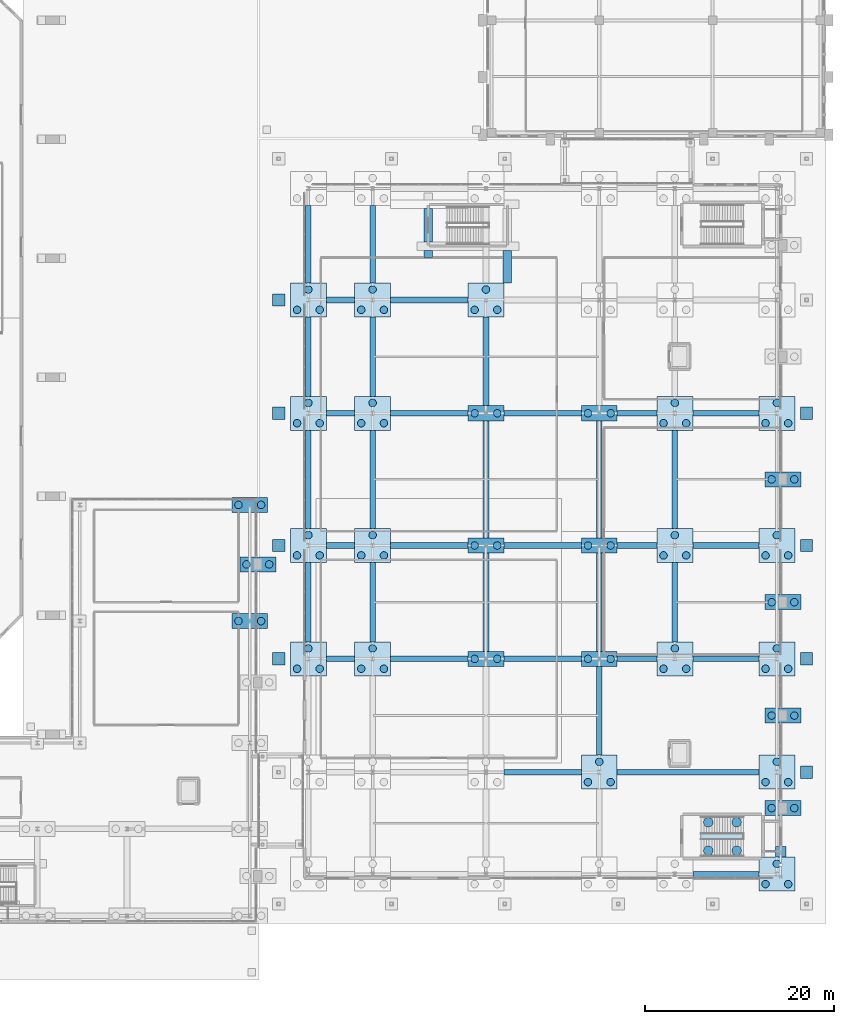
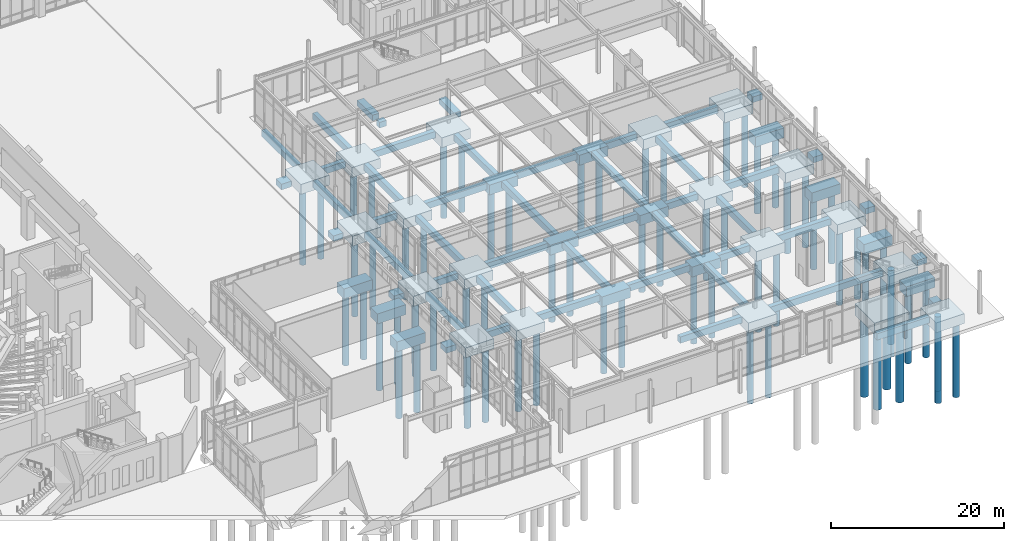
# One storey, part 4 of 143: 84 piles, 80 footings.
"""IFC4 building model written with IfcOpenShell, lengths in metres."""

from ifc_helpers import new_model, si_unit, derived_unit, direction, frame, origin, origin_2d, place, context, subcontext, project, spatial, rectangle, circle, extrude, material, layer, layer_set, material_profile, profile_set, type_object, element, save


model = new_model("IFC4")

# Units and contexts
model_context = context("Model", 3, precision=1e-05, world=origin(), true_north=direction((0.0, 1.0)))
body_context = subcontext(model_context, "Body", "Model", "MODEL_VIEW")
ifc_project = project(units=[si_unit("LENGTHUNIT", "METRE"), si_unit("AREAUNIT", "SQUARE_METRE"), si_unit("VOLUMEUNIT", "CUBIC_METRE"), si_unit("PLANEANGLEUNIT", "RADIAN"), si_unit("MASSUNIT", "GRAM", prefix="KILO"), derived_unit("THERMALTRANSMITTANCEUNIT", [(si_unit("MASSUNIT", "GRAM", prefix="KILO"), 1), (si_unit("TIMEUNIT", "SECOND"), -3), (si_unit("THERMODYNAMICTEMPERATUREUNIT", "KELVIN"), -1)])], contexts=[model_context])

# Site, building, storey
site_placement = place(None, origin())
site = spatial("IfcSite", under=ifc_project, at=site_placement, CompositionType="ELEMENT")
building_placement = place(site_placement, origin())
building = spatial("IfcBuilding", under=site, at=building_placement, Name="Valcora Ridge Arena", CompositionType="ELEMENT")
storey_placement = place(building_placement, origin())
storey = spatial("IfcBuildingStorey", under=building, at=storey_placement, Name="L00", CompositionType="ELEMENT", Elevation=0.0)

# Footings
ifc_material_1 = material(Name="Concrete C40/50", Category="concrete")
ifc_layer_1 = layer(ifc_material_1, 1.39990234375, Name="Concrete C40/50")
ifc_layer_set_1 = layer_set([ifc_layer_1], Name="Concrete C40/50")
footing_type_1 = type_object("IfcFootingType", Name="TY-FOOTING-PC-2P800", PredefinedType="PILE_CAP", material=ifc_layer_set_1)
for number, where, z_axis, x_axis, name in (
    (1, (156.0, 28.0, -1.849853515625), (0.0, 0.0, 1.0), (1.0, 0.0, 0.0), "PC-2P800 FND-PC-0131"),
    (2, (156.0, 40.0, -1.849853515625), (0.0, 0.0, 1.0), (1.0, 0.0, 0.0), "PC-2P800 FND-PC-0132"),
    (3, (156.0, 54.0, -1.849853515625), (0.0, 0.0, 1.0), (1.0, 0.0, 0.0), "PC-2P800 FND-PC-0133"),
    (4, (168.0, 28.0, -1.849853515625), (0.0, 0.0, 1.0), (1.0, 0.0, 0.0), "PC-2P800 FND-PC-0138"),
    (5, (168.0, 40.0, -1.849853515625), (0.0, 0.0, 1.0), (1.0, 0.0, 0.0), "PC-2P800 FND-PC-0139"),
    (6, (168.0, 54.0, -1.849853515625), (0.0, 0.0, 1.0), (1.0, 0.0, 0.0), "PC-2P800 FND-PC-0140"),
    (7, (131.0, 32.0, -1.849853515625), (0.0, 0.0, 1.0), (1.0, 0.0, 0.0), "PC-2P800 FND-PC-0166"),
    (8, (131.0, 44.300048828125, -1.849853515625), (0.0, 0.0, 1.0), (1.0, 0.0, 0.0), "PC-2P800 FND-PC-0167"),
    (9, (187.449951171875, 12.199951171875, -1.849853515625), (0.0, 0.0, 1.0), (1.0, 0.0, 0.0), "PC-2P800 FND-PC-0243"),
    (10, (187.449951171875, 22.0, -1.849853515625), (0.0, 0.0, 1.0), (1.0, 0.0, 0.0), "PC-2P800 FND-PC-0244"),
    (11, (187.449951171875, 34.0, -1.849853515625), (0.0, 0.0, 1.0), (1.0, 0.0, 0.0), "PC-2P800 FND-PC-0245"),
    (12, (187.449951171875, 47.0, -1.849853515625), (0.0, 0.0, 1.0), (1.0, 0.0, 0.0), "PC-2P800 FND-PC-0246"),
    (13, (131.85009765625, 38.0, -1.849853515625), (0.0, 0.0, 1.0), (1.0, 0.0, 0.0), "PC-2P800 FND-PC-0259"),
):
    element("IfcFooting", number, at=place(storey_placement, frame(where, z_axis=z_axis, x_axis=x_axis)), inside=storey, type_object=footing_type_1, Name=name, PredefinedType="PILE_CAP", context=body_context, shape_type="SweptSolid", body=[
        extrude(rectangle(XDim=3.800048828125, YDim=1.60009765625, at=origin_2d()), origin(), (0.0, 0.0, 1.0), 1.39990234375),
    ])
ifc_layer_2 = layer(ifc_material_1, 1.39990234375, Name="Concrete C40/50")
ifc_layer_set_2 = layer_set([ifc_layer_2], Name="Concrete C40/50")
footing_type_2 = type_object("IfcFootingType", Name="TY-FOOTING-PC-3P800", PredefinedType="PILE_CAP", material=ifc_layer_set_2)
for number, where, z_axis, x_axis, name in (
    (14, (137.199951171875, 28.0, -1.849853515625), (0.0, 0.0, 1.0), (1.0, 0.0, 0.0), "PC-3P800 FND-PC-0117"),
    (15, (137.199951171875, 40.0, -1.849853515625), (0.0, 0.0, 1.0), (1.0, 0.0, 0.0), "PC-3P800 FND-PC-0118"),
    (16, (137.199951171875, 54.0, -1.849853515625), (0.0, 0.0, 1.0), (1.0, 0.0, 0.0), "PC-3P800 FND-PC-0119"),
    (17, (137.199951171875, 66.0, -1.849853515625), (0.0, 0.0, 1.0), (1.0, 0.0, 0.0), "PC-3P800 FND-PC-0120"),
    (18, (144.0, 28.0, -1.849853515625), (0.0, 0.0, 1.0), (1.0, 0.0, 0.0), "PC-3P800 FND-PC-0124"),
    (19, (144.0, 40.0, -1.849853515625), (0.0, 0.0, 1.0), (1.0, 0.0, 0.0), "PC-3P800 FND-PC-0125"),
    (20, (144.0, 54.0, -1.849853515625), (0.0, 0.0, 1.0), (1.0, 0.0, 0.0), "PC-3P800 FND-PC-0126"),
    (21, (144.0, 66.0, -1.849853515625), (0.0, 0.0, 1.0), (1.0, 0.0, 0.0), "PC-3P800 FND-PC-0127"),
    (22, (156.0, 66.0, -1.849853515625), (0.0, 0.0, 1.0), (1.0, 0.0, 0.0), "PC-3P800 FND-PC-0134"),
    (23, (168.0, 16.0, -1.849853515625), (0.0, 0.0, 1.0), (1.0, 0.0, 0.0), "PC-3P800 FND-PC-0137"),
    (24, (176.0, 28.0, -1.849853515625), (0.0, 0.0, 1.0), (1.0, 0.0, 0.0), "PC-3P800 FND-PC-0144"),
    (25, (176.0, 40.0, -1.849853515625), (0.0, 0.0, 1.0), (1.0, 0.0, 0.0), "PC-3P800 FND-PC-0145"),
    (26, (176.0, 54.0, -1.849853515625), (0.0, 0.0, 1.0), (1.0, 0.0, 0.0), "PC-3P800 FND-PC-0146"),
    (27, (186.800048828125, 5.199951171875, -1.849853515625), (0.0, 0.0, 1.0), (1.0, 0.0, 0.0), "PC-3P800 FND-PC-0149"),
    (28, (186.800048828125, 16.0, -1.849853515625), (0.0, 0.0, 1.0), (1.0, 0.0, 0.0), "PC-3P800 FND-PC-0150"),
    (29, (186.800048828125, 28.0, -1.849853515625), (0.0, 0.0, 1.0), (1.0, 0.0, 0.0), "PC-3P800 FND-PC-0151"),
    (30, (186.800048828125, 40.0, -1.849853515625), (0.0, 0.0, 1.0), (1.0, 0.0, 0.0), "PC-3P800 FND-PC-0152"),
    (31, (186.800048828125, 54.0, -1.849853515625), (0.0, 0.0, 1.0), (1.0, 0.0, 0.0), "PC-3P800 FND-PC-0153"),
):
    element("IfcFooting", number, at=place(storey_placement, frame(where, z_axis=z_axis, x_axis=x_axis)), inside=storey, type_object=footing_type_2, Name=name, PredefinedType="PILE_CAP", context=body_context, shape_type="SweptSolid", body=[
        extrude(rectangle(XDim=3.800048828125, YDim=3.60009765625, at=origin_2d()), origin(), (0.0, 0.0, 1.0), 1.39990234375),
    ])
ifc_layer_3 = layer(ifc_material_1, 1.60009765625, Name="Concrete C40/50")
ifc_layer_set_3 = layer_set([ifc_layer_3], Name="Concrete C40/50")
footing_type_3 = type_object("IfcFootingType", Name="TY-FOOTING-PC-4P1000", PredefinedType="PILE_CAP", material=ifc_layer_set_3)
footing_1_placement = place(storey_placement, frame((181.0400390625, 9.199951171875, -2.050048828125), z_axis=(0.0, 0.0, 1.0), x_axis=(1.0, 0.0, 0.0)))
element("IfcFooting", 32, at=footing_1_placement, inside=storey, type_object=footing_type_3, Name="PC-4P1000 FND-PC-0260", PredefinedType="PILE_CAP", context=body_context, shape_type="SweptSolid", body=[
    extrude(rectangle(XDim=4.60009765625, YDim=4.60009765625, at=origin_2d()), origin(), (0.0, 0.0, 1.0), 1.60009765625),
])
ifc_layer_4 = layer(ifc_material_1, 0.800048828125, Name="Concrete C40/50")
ifc_layer_set_4 = layer_set([ifc_layer_4], Name="Concrete C40/50")
footing_type_4 = type_object("IfcFootingType", Name="TY-FOOTING-PF-130", PredefinedType="PAD_FOOTING", material=ifc_layer_set_4)
for number, where, z_axis, x_axis, name in (
    (33, (134.050048828125, 28.0, -1.25), (0.0, 0.0, 1.0), (1.0, 0.0, 0.0), "PF-130 FND-SF-0014"),
    (34, (134.050048828125, 40.0, -1.25), (0.0, 0.0, 1.0), (1.0, 0.0, 0.0), "PF-130 FND-SF-0015"),
    (35, (134.050048828125, 54.0, -1.25), (0.0, 0.0, 1.0), (1.0, 0.0, 0.0), "PF-130 FND-SF-0016"),
    (36, (134.050048828125, 66.0, -1.25), (0.0, 0.0, 1.0), (1.0, 0.0, 0.0), "PF-130 FND-SF-0017"),
    (37, (189.949951171875, 16.0, -1.25), (0.0, 0.0, 1.0), (1.0, 0.0, 0.0), "PF-130 FND-SF-0020"),
    (38, (189.949951171875, 28.0, -1.25), (0.0, 0.0, 1.0), (1.0, 0.0, 0.0), "PF-130 FND-SF-0021"),
    (39, (189.949951171875, 40.0, -1.25), (0.0, 0.0, 1.0), (1.0, 0.0, 0.0), "PF-130 FND-SF-0022"),
    (40, (189.949951171875, 54.0, -1.25), (0.0, 0.0, 1.0), (1.0, 0.0, 0.0), "PF-130 FND-SF-0023"),
):
    element("IfcFooting", number, at=place(storey_placement, frame(where, z_axis=z_axis, x_axis=x_axis)), inside=storey, type_object=footing_type_4, Name=name, PredefinedType="PAD_FOOTING", context=body_context, shape_type="SweptSolid", body=[
        extrude(rectangle(XDim=1.300048828125, YDim=1.300048828125, at=origin_2d()), origin(), (0.0, 0.0, 1.0), 0.800048828125),
    ])
ifc_material_2 = material(Name="Fire-resisting reinforced concrete enclosure C40/50 200 mm", Category="concrete")
ifc_layer_5 = layer(ifc_material_2, 0.800048828125, Name="Fire-resisting reinforced concrete enclosure C40/50 200 mm")
ifc_layer_set_5 = layer_set([ifc_layer_5], Name="Fire-resisting reinforced concrete enclosure C40/50 200 mm")
footing_type_5 = type_object("IfcFootingType", Name="TY-FOOTING-SF-ESW-900", PredefinedType="STRIP_FOOTING", material=ifc_layer_set_5)
footing_2_placement = place(storey_placement, frame((149.889892578125, 70.860107421875, -1.25), z_axis=(0.0, 0.0, 1.0), x_axis=(1.0, 0.0, 0.0)))
element("IfcFooting", 41, at=footing_2_placement, inside=storey, type_object=footing_type_5, Name="SF-ESW-900 FND-SF-0088", PredefinedType="STRIP_FOOTING", context=body_context, shape_type="SweptSolid", body=[
    extrude(rectangle(XDim=0.89990234375, YDim=0.758056640625, at=origin_2d()), origin(), (0.0, 0.0, 1.0), 0.800048828125),
])
footing_3_placement = place(storey_placement, frame((149.889892578125, 73.89990234375, -1.25), z_axis=(0.0, 0.0, 1.0), x_axis=(1.0, 0.0, 0.0)))
element("IfcFooting", 42, at=footing_3_placement, inside=storey, type_object=footing_type_5, Name="SF-ESW-900 FND-SF-0089", PredefinedType="STRIP_FOOTING", context=body_context, shape_type="SweptSolid", body=[
    extrude(rectangle(XDim=0.89990234375, YDim=3.51806640625, at=origin_2d()), origin(), (0.0, 0.0, 1.0), 0.800048828125),
])
footing_4_placement = place(storey_placement, frame((158.27001953125, 69.52001953125, -1.25), z_axis=(0.0, 0.0, 1.0), x_axis=(1.0, 0.0, 0.0)))
element("IfcFooting", 43, at=footing_4_placement, inside=storey, type_object=footing_type_5, Name="SF-ESW-900 FND-SF-0091", PredefinedType="STRIP_FOOTING", context=body_context, shape_type="SweptSolid", body=[
    extrude(rectangle(XDim=0.89990234375, YDim=3.43798828125, at=origin_2d()), origin(), (0.0, 0.0, 1.0), 0.800048828125),
])
ifc_layer_6 = layer(ifc_material_1, 0.800048828125, Name="Concrete C40/50")
ifc_layer_set_6 = layer_set([ifc_layer_6], Name="Concrete C40/50")
footing_type_6 = type_object("IfcFootingType", Name="TY-FOOTING-SF-STRAP-900", PredefinedType="STRIP_FOOTING", material=ifc_layer_set_6)
footing_5_placement = place(storey_placement, frame((187.199951171875, 7.575927734375, -1.25), z_axis=(0.0, 0.0, 1.0), x_axis=(1.0, 0.0, 0.0)))
element("IfcFooting", 44, at=footing_5_placement, inside=storey, type_object=footing_type_6, Name="SF-STRAP-900 FND-SF-0010", PredefinedType="STRIP_FOOTING", context=body_context, shape_type="SweptSolid", body=[
    extrude(rectangle(XDim=1.10009765625, YDim=1.14794921875, at=origin_2d()), origin(), (0.0, 0.0, 1.0), 0.800048828125),
])
ifc_layer_7 = layer(ifc_material_1, 0.89990234375, Name="Concrete C40/50")
ifc_layer_set_7 = layer_set([ifc_layer_7], Name="Concrete C40/50")
footing_type_7 = type_object("IfcFootingType", Name="TY-FOOTING-TBX-030", PredefinedType="FOOTING_BEAM", material=ifc_layer_set_7)
for number, where, z_axis, x_axis, name in (
    (45, (140.60009765625, 28.0, -1.349853515625), (0.0, 0.0, 1.0), (1.0, 0.0, 0.0), "TBX-030 FND-TB-0177"),
    (46, (140.60009765625, 40.0, -1.349853515625), (0.0, 0.0, 1.0), (1.0, 0.0, 0.0), "TBX-030 FND-TB-0182"),
    (47, (140.60009765625, 54.0, -1.349853515625), (0.0, 0.0, 1.0), (1.0, 0.0, 0.0), "TBX-030 FND-TB-0187"),
    (48, (140.60009765625, 66.0, -1.349853515625), (0.0, 0.0, 1.0), (1.0, 0.0, 0.0), "TBX-030 FND-TB-0192"),
):
    element("IfcFooting", number, at=place(storey_placement, frame(where, z_axis=z_axis, x_axis=x_axis)), inside=storey, type_object=footing_type_7, Name=name, PredefinedType="FOOTING_BEAM", context=body_context, shape_type="SweptSolid", body=[
        extrude(rectangle(XDim=2.998046875, YDim=0.60009765625, at=origin_2d()), origin(), (0.0, 0.0, 1.0), 0.89990234375),
    ])
ifc_layer_8 = layer(ifc_material_1, 0.89990234375, Name="Concrete C40/50")
ifc_layer_set_8 = layer_set([ifc_layer_8], Name="Concrete C40/50")
footing_type_8 = type_object("IfcFootingType", Name="TY-FOOTING-TBX-042", PredefinedType="FOOTING_BEAM", material=ifc_layer_set_8)
for number, where, z_axis, x_axis, name in (
    (49, (172.0, 28.0, -1.349853515625), (0.0, 0.0, 1.0), (1.0, 0.0, 0.0), "TBX-042 FND-TB-0180"),
    (50, (172.0, 40.0, -1.349853515625), (0.0, 0.0, 1.0), (1.0, 0.0, 0.0), "TBX-042 FND-TB-0185"),
    (51, (172.0, 54.0, -1.349853515625), (0.0, 0.0, 1.0), (1.0, 0.0, 0.0), "TBX-042 FND-TB-0190"),
):
    element("IfcFooting", number, at=place(storey_placement, frame(where, z_axis=z_axis, x_axis=x_axis)), inside=storey, type_object=footing_type_8, Name=name, PredefinedType="FOOTING_BEAM", context=body_context, shape_type="SweptSolid", body=[
        extrude(rectangle(XDim=4.197998046875, YDim=0.60009765625, at=origin_2d()), origin(), (0.0, 0.0, 1.0), 0.89990234375),
    ])
ifc_layer_9 = layer(ifc_material_1, 0.89990234375, Name="Concrete C40/50")
ifc_layer_set_9 = layer_set([ifc_layer_9], Name="Concrete C40/50")
footing_type_9 = type_object("IfcFootingType", Name="TY-FOOTING-TBX-070", PredefinedType="FOOTING_BEAM", material=ifc_layer_set_9)
for number, where, z_axis, x_axis, name in (
    (52, (181.39990234375, 5.199951171875, -1.349853515625), (0.0, 0.0, 1.0), (1.0, 0.0, 0.0), "TBX-070 FND-TB-0172"),
    (53, (181.39990234375, 28.0, -1.349853515625), (0.0, 0.0, 1.0), (1.0, 0.0, 0.0), "TBX-070 FND-TB-0181"),
    (54, (181.39990234375, 40.0, -1.349853515625), (0.0, 0.0, 1.0), (1.0, 0.0, 0.0), "TBX-070 FND-TB-0186"),
    (55, (181.39990234375, 54.0, -1.349853515625), (0.0, 0.0, 1.0), (1.0, 0.0, 0.0), "TBX-070 FND-TB-0191"),
):
    element("IfcFooting", number, at=place(storey_placement, frame(where, z_axis=z_axis, x_axis=x_axis)), inside=storey, type_object=footing_type_9, Name=name, PredefinedType="FOOTING_BEAM", context=body_context, shape_type="SweptSolid", body=[
        extrude(rectangle(XDim=6.998046875, YDim=0.60009765625, at=origin_2d()), origin(), (0.0, 0.0, 1.0), 0.89990234375),
    ])
ifc_layer_10 = layer(ifc_material_1, 0.89990234375, Name="Concrete C40/50")
ifc_layer_set_10 = layer_set([ifc_layer_10], Name="Concrete C40/50")
footing_type_10 = type_object("IfcFootingType", Name="TY-FOOTING-TBX-082", PredefinedType="FOOTING_BEAM", material=ifc_layer_set_10)
for number, where, z_axis, x_axis, name in (
    (56, (162.0, 16.0, -1.349853515625), (0.0, 0.0, 1.0), (1.0, 0.0, 0.0), "TBX-082 FND-TB-0175"),
    (57, (150.0, 28.0, -1.349853515625), (0.0, 0.0, 1.0), (1.0, 0.0, 0.0), "TBX-082 FND-TB-0178"),
    (58, (162.0, 28.0, -1.349853515625), (0.0, 0.0, 1.0), (1.0, 0.0, 0.0), "TBX-082 FND-TB-0179"),
    (59, (150.0, 40.0, -1.349853515625), (0.0, 0.0, 1.0), (1.0, 0.0, 0.0), "TBX-082 FND-TB-0183"),
    (60, (162.0, 40.0, -1.349853515625), (0.0, 0.0, 1.0), (1.0, 0.0, 0.0), "TBX-082 FND-TB-0184"),
    (61, (150.0, 54.0, -1.349853515625), (0.0, 0.0, 1.0), (1.0, 0.0, 0.0), "TBX-082 FND-TB-0188"),
    (62, (162.0, 54.0, -1.349853515625), (0.0, 0.0, 1.0), (1.0, 0.0, 0.0), "TBX-082 FND-TB-0189"),
    (63, (150.0, 66.0, -1.349853515625), (0.0, 0.0, 1.0), (1.0, 0.0, 0.0), "TBX-082 FND-TB-0193"),
):
    element("IfcFooting", number, at=place(storey_placement, frame(where, z_axis=z_axis, x_axis=x_axis)), inside=storey, type_object=footing_type_10, Name=name, PredefinedType="FOOTING_BEAM", context=body_context, shape_type="SweptSolid", body=[
        extrude(rectangle(XDim=8.197998046875, YDim=0.60009765625, at=origin_2d()), origin(), (0.0, 0.0, 1.0), 0.89990234375),
    ])
ifc_layer_11 = layer(ifc_material_1, 0.89990234375, Name="Concrete C40/50")
ifc_layer_set_11 = layer_set([ifc_layer_11], Name="Concrete C40/50")
footing_type_11 = type_object("IfcFootingType", Name="TY-FOOTING-TBX-150", PredefinedType="FOOTING_BEAM", material=ifc_layer_set_11)
footing_6_placement = place(storey_placement, frame((177.39990234375, 16.0, -1.349853515625), z_axis=(0.0, 0.0, 1.0), x_axis=(1.0, 0.0, 0.0)))
element("IfcFooting", 64, at=footing_6_placement, inside=storey, type_object=footing_type_11, Name="TBX-150 FND-TB-0176", PredefinedType="FOOTING_BEAM", context=body_context, shape_type="SweptSolid", body=[
    extrude(rectangle(XDim=14.998046875, YDim=0.60009765625, at=origin_2d()), origin(), (0.0, 0.0, 1.0), 0.89990234375),
])
ifc_layer_12 = layer(ifc_material_1, 0.89990234375, Name="Concrete C40/50")
ifc_layer_set_12 = layer_set([ifc_layer_12], Name="Concrete C40/50")
footing_type_12 = type_object("IfcFootingType", Name="TY-FOOTING-TBY-082", PredefinedType="FOOTING_BEAM", material=ifc_layer_set_12)
for number, where, z_axis, x_axis, name in (
    (65, (137.199951171875, 71.89990234375, -1.349853515625), (0.0, 0.0, 1.0), (1.0, 0.0, 0.0), "TBY-082 FND-TB-0246"),
    (66, (144.0, 71.89990234375, -1.349853515625), (0.0, 0.0, 1.0), (1.0, 0.0, 0.0), "TBY-082 FND-TB-0252"),
):
    element("IfcFooting", number, at=place(storey_placement, frame(where, z_axis=z_axis, x_axis=x_axis)), inside=storey, type_object=footing_type_12, Name=name, PredefinedType="FOOTING_BEAM", context=body_context, shape_type="SweptSolid", body=[
        extrude(rectangle(XDim=0.60009765625, YDim=8.197998046875, at=origin_2d()), origin(), (0.0, 0.0, 1.0), 0.89990234375),
    ])
ifc_layer_13 = layer(ifc_material_1, 0.89990234375, Name="Concrete C40/50")
ifc_layer_set_13 = layer_set([ifc_layer_13], Name="Concrete C40/50")
footing_type_13 = type_object("IfcFootingType", Name="TY-FOOTING-TBY-084", PredefinedType="FOOTING_BEAM", material=ifc_layer_set_13)
for number, where, z_axis, x_axis, name in (
    (67, (137.199951171875, 34.0, -1.349853515625), (0.0, 0.0, 1.0), (1.0, 0.0, 0.0), "TBY-084 FND-TB-0243"),
    (68, (137.199951171875, 60.0, -1.349853515625), (0.0, 0.0, 1.0), (1.0, 0.0, 0.0), "TBY-084 FND-TB-0245"),
    (69, (144.0, 34.0, -1.349853515625), (0.0, 0.0, 1.0), (1.0, 0.0, 0.0), "TBY-084 FND-TB-0249"),
    (70, (144.0, 60.0, -1.349853515625), (0.0, 0.0, 1.0), (1.0, 0.0, 0.0), "TBY-084 FND-TB-0251"),
    (71, (176.0, 34.0, -1.349853515625), (0.0, 0.0, 1.0), (1.0, 0.0, 0.0), "TBY-084 FND-TB-0265"),
):
    element("IfcFooting", number, at=place(storey_placement, frame(where, z_axis=z_axis, x_axis=x_axis)), inside=storey, type_object=footing_type_13, Name=name, PredefinedType="FOOTING_BEAM", context=body_context, shape_type="SweptSolid", body=[
        extrude(rectangle(XDim=0.60009765625, YDim=8.39794921875, at=origin_2d()), origin(), (0.0, 0.0, 1.0), 0.89990234375),
    ])
ifc_layer_14 = layer(ifc_material_1, 0.89990234375, Name="Concrete C40/50")
ifc_layer_set_14 = layer_set([ifc_layer_14], Name="Concrete C40/50")
footing_type_14 = type_object("IfcFootingType", Name="TY-FOOTING-TBY-094", PredefinedType="FOOTING_BEAM", material=ifc_layer_set_14)
for number, where, z_axis, x_axis, name in (
    (72, (156.0, 59.5, -1.349853515625), (0.0, 0.0, 1.0), (1.0, 0.0, 0.0), "TBY-094 FND-TB-0257"),
    (73, (168.0, 22.5, -1.349853515625), (0.0, 0.0, 1.0), (1.0, 0.0, 0.0), "TBY-094 FND-TB-0260"),
):
    element("IfcFooting", number, at=place(storey_placement, frame(where, z_axis=z_axis, x_axis=x_axis)), inside=storey, type_object=footing_type_14, Name=name, PredefinedType="FOOTING_BEAM", context=body_context, shape_type="SweptSolid", body=[
        extrude(rectangle(XDim=0.60009765625, YDim=9.39794921875, at=origin_2d()), origin(), (0.0, 0.0, 1.0), 0.89990234375),
    ])
ifc_layer_15 = layer(ifc_material_1, 0.89990234375, Name="Concrete C40/50")
ifc_layer_set_15 = layer_set([ifc_layer_15], Name="Concrete C40/50")
footing_type_15 = type_object("IfcFootingType", Name="TY-FOOTING-TBY-104", PredefinedType="FOOTING_BEAM", material=ifc_layer_set_15)
for number, where, z_axis, x_axis, name in (
    (74, (137.199951171875, 47.0, -1.349853515625), (0.0, 0.0, 1.0), (1.0, 0.0, 0.0), "TBY-104 FND-TB-0244"),
    (75, (144.0, 47.0, -1.349853515625), (0.0, 0.0, 1.0), (1.0, 0.0, 0.0), "TBY-104 FND-TB-0250"),
    (76, (156.0, 34.0, -1.349853515625), (0.0, 0.0, 1.0), (1.0, 0.0, 0.0), "TBY-104 FND-TB-0255"),
    (77, (168.0, 34.0, -1.349853515625), (0.0, 0.0, 1.0), (1.0, 0.0, 0.0), "TBY-104 FND-TB-0261"),
    (78, (176.0, 47.0, -1.349853515625), (0.0, 0.0, 1.0), (1.0, 0.0, 0.0), "TBY-104 FND-TB-0266"),
):
    element("IfcFooting", number, at=place(storey_placement, frame(where, z_axis=z_axis, x_axis=x_axis)), inside=storey, type_object=footing_type_15, Name=name, PredefinedType="FOOTING_BEAM", context=body_context, shape_type="SweptSolid", body=[
        extrude(rectangle(XDim=0.60009765625, YDim=10.39794921875, at=origin_2d()), origin(), (0.0, 0.0, 1.0), 0.89990234375),
    ])
ifc_layer_16 = layer(ifc_material_1, 0.89990234375, Name="Concrete C40/50")
ifc_layer_set_16 = layer_set([ifc_layer_16], Name="Concrete C40/50")
footing_type_16 = type_object("IfcFootingType", Name="TY-FOOTING-TBY-124", PredefinedType="FOOTING_BEAM", material=ifc_layer_set_16)
for number, where, z_axis, x_axis, name in (
    (79, (156.0, 47.0, -1.349853515625), (0.0, 0.0, 1.0), (1.0, 0.0, 0.0), "TBY-124 FND-TB-0256"),
    (80, (168.0, 47.0, -1.349853515625), (0.0, 0.0, 1.0), (1.0, 0.0, 0.0), "TBY-124 FND-TB-0262"),
):
    element("IfcFooting", number, at=place(storey_placement, frame(where, z_axis=z_axis, x_axis=x_axis)), inside=storey, type_object=footing_type_16, Name=name, PredefinedType="FOOTING_BEAM", context=body_context, shape_type="SweptSolid", body=[
        extrude(rectangle(XDim=0.60009765625, YDim=12.39794921875, at=origin_2d()), origin(), (0.0, 0.0, 1.0), 0.89990234375),
    ])

# Piles
ifc_material_3 = material(Name="Concrete C35/45", Category="concrete")
ifc_material_profile_1 = material_profile(ifc_material_3, circle(Radius=0.5, at=origin_2d()), Name="BORED PILE D1000")
ifc_profile_set_1 = profile_set([ifc_material_profile_1], Name="Concrete C35/45")
pile_type_1 = type_object("IfcPileType", Name="TY-PILE-P-1000A", PredefinedType="BORED", material=ifc_profile_set_1)
for number, where, z_axis, x_axis, name in (
    (81, (179.5400390625, 7.699951171875, -1.949951171875), (0.0, 0.0, -1.0), (1.0, 0.0, 0.0), "P-1000A FND-PL-P-1000A-0273"),
    (82, (182.5400390625, 7.699951171875, -1.949951171875), (0.0, 0.0, -1.0), (1.0, 0.0, 0.0), "P-1000A FND-PL-P-1000A-0274"),
    (83, (179.5400390625, 10.699951171875, -1.949951171875), (0.0, 0.0, -1.0), (1.0, 0.0, 0.0), "P-1000A FND-PL-P-1000A-0275"),
    (84, (182.5400390625, 10.699951171875, -1.949951171875), (0.0, 0.0, -1.0), (1.0, 0.0, 0.0), "P-1000A FND-PL-P-1000A-0276"),
):
    element("IfcPile", number, at=place(storey_placement, frame(where, z_axis=z_axis, x_axis=x_axis)), inside=storey, type_object=pile_type_1, Name=name, PredefinedType="BORED", context=body_context, shape_type="SweptSolid", body=[
        extrude(circle(Radius=0.5, at=origin_2d()), origin(), (0.0, 0.0, 1.0), 11.199951171875),
    ])
ifc_material_profile_2 = material_profile(ifc_material_3, circle(Radius=0.39990234375, at=origin_2d()), Name="BORED PILE D800")
ifc_profile_set_2 = profile_set([ifc_material_profile_2], Name="Concrete C35/45")
pile_type_2 = type_object("IfcPileType", Name="TY-PILE-P-800A", PredefinedType="BORED", material=ifc_profile_set_2)
for number, where, z_axis, x_axis, name in (
    (85, (136.0, 26.949951171875, -1.75), (0.0, 0.0, -1.0), (1.0, 0.0, 0.0), "P-800A FND-PL-P-800A-0007"),
    (86, (138.39990234375, 26.949951171875, -1.75), (0.0, 0.0, -1.0), (1.0, 0.0, 0.0), "P-800A FND-PL-P-800A-0008"),
    (87, (137.199951171875, 29.10009765625, -1.75), (0.0, 0.0, -1.0), (1.0, 0.0, 0.0), "P-800A FND-PL-P-800A-0009"),
    (88, (136.0, 38.949951171875, -1.75), (0.0, 0.0, -1.0), (1.0, 0.0, 0.0), "P-800A FND-PL-P-800A-0010"),
    (89, (138.39990234375, 38.949951171875, -1.75), (0.0, 0.0, -1.0), (1.0, 0.0, 0.0), "P-800A FND-PL-P-800A-0011"),
    (90, (137.199951171875, 41.10009765625, -1.75), (0.0, 0.0, -1.0), (1.0, 0.0, 0.0), "P-800A FND-PL-P-800A-0012"),
    (91, (136.0, 52.949951171875, -1.75), (0.0, 0.0, -1.0), (1.0, 0.0, 0.0), "P-800A FND-PL-P-800A-0013"),
    (92, (138.39990234375, 52.949951171875, -1.75), (0.0, 0.0, -1.0), (1.0, 0.0, 0.0), "P-800A FND-PL-P-800A-0014"),
    (93, (137.199951171875, 55.10009765625, -1.75), (0.0, 0.0, -1.0), (1.0, 0.0, 0.0), "P-800A FND-PL-P-800A-0015"),
    (94, (136.0, 64.949951171875, -1.75), (0.0, 0.0, -1.0), (1.0, 0.0, 0.0), "P-800A FND-PL-P-800A-0016"),
    (95, (138.39990234375, 64.949951171875, -1.75), (0.0, 0.0, -1.0), (1.0, 0.0, 0.0), "P-800A FND-PL-P-800A-0017"),
    (96, (137.199951171875, 67.10009765625, -1.75), (0.0, 0.0, -1.0), (1.0, 0.0, 0.0), "P-800A FND-PL-P-800A-0018"),
    (97, (142.800048828125, 26.949951171875, -1.75), (0.0, 0.0, -1.0), (1.0, 0.0, 0.0), "P-800A FND-PL-P-800A-0028"),
    (98, (145.199951171875, 26.949951171875, -1.75), (0.0, 0.0, -1.0), (1.0, 0.0, 0.0), "P-800A FND-PL-P-800A-0029"),
    (99, (144.0, 29.10009765625, -1.75), (0.0, 0.0, -1.0), (1.0, 0.0, 0.0), "P-800A FND-PL-P-800A-0030"),
    (100, (142.800048828125, 38.949951171875, -1.75), (0.0, 0.0, -1.0), (1.0, 0.0, 0.0), "P-800A FND-PL-P-800A-0031"),
    (101, (145.199951171875, 38.949951171875, -1.75), (0.0, 0.0, -1.0), (1.0, 0.0, 0.0), "P-800A FND-PL-P-800A-0032"),
    (102, (144.0, 41.10009765625, -1.75), (0.0, 0.0, -1.0), (1.0, 0.0, 0.0), "P-800A FND-PL-P-800A-0033"),
    (103, (142.800048828125, 52.949951171875, -1.75), (0.0, 0.0, -1.0), (1.0, 0.0, 0.0), "P-800A FND-PL-P-800A-0034"),
    (104, (145.199951171875, 52.949951171875, -1.75), (0.0, 0.0, -1.0), (1.0, 0.0, 0.0), "P-800A FND-PL-P-800A-0035"),
    (105, (144.0, 55.10009765625, -1.75), (0.0, 0.0, -1.0), (1.0, 0.0, 0.0), "P-800A FND-PL-P-800A-0036"),
    (106, (142.800048828125, 64.949951171875, -1.75), (0.0, 0.0, -1.0), (1.0, 0.0, 0.0), "P-800A FND-PL-P-800A-0037"),
    (107, (145.199951171875, 64.949951171875, -1.75), (0.0, 0.0, -1.0), (1.0, 0.0, 0.0), "P-800A FND-PL-P-800A-0038"),
    (108, (144.0, 67.10009765625, -1.75), (0.0, 0.0, -1.0), (1.0, 0.0, 0.0), "P-800A FND-PL-P-800A-0039"),
    (109, (154.800048828125, 64.949951171875, -1.75), (0.0, 0.0, -1.0), (1.0, 0.0, 0.0), "P-800A FND-PL-P-800A-0049"),
    (110, (157.199951171875, 64.949951171875, -1.75), (0.0, 0.0, -1.0), (1.0, 0.0, 0.0), "P-800A FND-PL-P-800A-0050"),
    (111, (156.0, 67.10009765625, -1.75), (0.0, 0.0, -1.0), (1.0, 0.0, 0.0), "P-800A FND-PL-P-800A-0051"),
    (112, (166.800048828125, 14.949951171875, -1.75), (0.0, 0.0, -1.0), (1.0, 0.0, 0.0), "P-800A FND-PL-P-800A-0058"),
    (113, (169.199951171875, 14.949951171875, -1.75), (0.0, 0.0, -1.0), (1.0, 0.0, 0.0), "P-800A FND-PL-P-800A-0059"),
    (114, (168.0, 17.10009765625, -1.75), (0.0, 0.0, -1.0), (1.0, 0.0, 0.0), "P-800A FND-PL-P-800A-0060"),
    (115, (174.800048828125, 26.949951171875, -1.75), (0.0, 0.0, -1.0), (1.0, 0.0, 0.0), "P-800A FND-PL-P-800A-0070"),
    (116, (177.199951171875, 26.949951171875, -1.75), (0.0, 0.0, -1.0), (1.0, 0.0, 0.0), "P-800A FND-PL-P-800A-0071"),
    (117, (176.0, 29.10009765625, -1.75), (0.0, 0.0, -1.0), (1.0, 0.0, 0.0), "P-800A FND-PL-P-800A-0072"),
    (118, (174.800048828125, 38.949951171875, -1.75), (0.0, 0.0, -1.0), (1.0, 0.0, 0.0), "P-800A FND-PL-P-800A-0073"),
    (119, (177.199951171875, 38.949951171875, -1.75), (0.0, 0.0, -1.0), (1.0, 0.0, 0.0), "P-800A FND-PL-P-800A-0074"),
    (120, (176.0, 41.10009765625, -1.75), (0.0, 0.0, -1.0), (1.0, 0.0, 0.0), "P-800A FND-PL-P-800A-0075"),
    (121, (174.800048828125, 52.949951171875, -1.75), (0.0, 0.0, -1.0), (1.0, 0.0, 0.0), "P-800A FND-PL-P-800A-0076"),
    (122, (177.199951171875, 52.949951171875, -1.75), (0.0, 0.0, -1.0), (1.0, 0.0, 0.0), "P-800A FND-PL-P-800A-0077"),
    (123, (176.0, 55.10009765625, -1.75), (0.0, 0.0, -1.0), (1.0, 0.0, 0.0), "P-800A FND-PL-P-800A-0078"),
    (124, (185.60009765625, 4.14990234375, -1.75), (0.0, 0.0, -1.0), (1.0, 0.0, 0.0), "P-800A FND-PL-P-800A-0085"),
    (125, (188.0, 4.14990234375, -1.75), (0.0, 0.0, -1.0), (1.0, 0.0, 0.0), "P-800A FND-PL-P-800A-0086"),
    (126, (186.800048828125, 6.300048828125, -1.75), (0.0, 0.0, -1.0), (1.0, 0.0, 0.0), "P-800A FND-PL-P-800A-0087"),
    (127, (185.60009765625, 14.949951171875, -1.75), (0.0, 0.0, -1.0), (1.0, 0.0, 0.0), "P-800A FND-PL-P-800A-0088"),
    (128, (188.0, 14.949951171875, -1.75), (0.0, 0.0, -1.0), (1.0, 0.0, 0.0), "P-800A FND-PL-P-800A-0089"),
    (129, (186.800048828125, 17.10009765625, -1.75), (0.0, 0.0, -1.0), (1.0, 0.0, 0.0), "P-800A FND-PL-P-800A-0090"),
    (130, (185.60009765625, 26.949951171875, -1.75), (0.0, 0.0, -1.0), (1.0, 0.0, 0.0), "P-800A FND-PL-P-800A-0091"),
    (131, (188.0, 26.949951171875, -1.75), (0.0, 0.0, -1.0), (1.0, 0.0, 0.0), "P-800A FND-PL-P-800A-0092"),
    (132, (186.800048828125, 29.10009765625, -1.75), (0.0, 0.0, -1.0), (1.0, 0.0, 0.0), "P-800A FND-PL-P-800A-0093"),
    (133, (185.60009765625, 38.949951171875, -1.75), (0.0, 0.0, -1.0), (1.0, 0.0, 0.0), "P-800A FND-PL-P-800A-0094"),
    (134, (188.0, 38.949951171875, -1.75), (0.0, 0.0, -1.0), (1.0, 0.0, 0.0), "P-800A FND-PL-P-800A-0095"),
    (135, (186.800048828125, 41.10009765625, -1.75), (0.0, 0.0, -1.0), (1.0, 0.0, 0.0), "P-800A FND-PL-P-800A-0096"),
    (136, (185.60009765625, 52.949951171875, -1.75), (0.0, 0.0, -1.0), (1.0, 0.0, 0.0), "P-800A FND-PL-P-800A-0097"),
    (137, (188.0, 52.949951171875, -1.75), (0.0, 0.0, -1.0), (1.0, 0.0, 0.0), "P-800A FND-PL-P-800A-0098"),
    (138, (186.800048828125, 55.10009765625, -1.75), (0.0, 0.0, -1.0), (1.0, 0.0, 0.0), "P-800A FND-PL-P-800A-0099"),
):
    element("IfcPile", number, at=place(storey_placement, frame(where, z_axis=z_axis, x_axis=x_axis)), inside=storey, type_object=pile_type_2, Name=name, PredefinedType="BORED", context=body_context, shape_type="SweptSolid", body=[
        extrude(circle(Radius=0.39990234375, at=origin_2d()), origin(), (0.0, 0.0, 1.0), 10.5),
    ])
ifc_material_profile_3 = material_profile(ifc_material_3, circle(Radius=0.39990234375, at=origin_2d()), Name="BORED PILE D800")
ifc_profile_set_3 = profile_set([ifc_material_profile_3], Name="Concrete C35/45")
pile_type_3 = type_object("IfcPileType", Name="TY-PILE-P-800B", PredefinedType="BORED", material=ifc_profile_set_3)
for number, where, z_axis, x_axis, name in (
    (139, (154.800048828125, 28.0, -1.75), (0.0, 0.0, -1.0), (1.0, 0.0, 0.0), "P-800B FND-PL-P-800B-0001"),
    (140, (157.199951171875, 28.0, -1.75), (0.0, 0.0, -1.0), (1.0, 0.0, 0.0), "P-800B FND-PL-P-800B-0002"),
    (141, (154.800048828125, 40.0, -1.75), (0.0, 0.0, -1.0), (1.0, 0.0, 0.0), "P-800B FND-PL-P-800B-0003"),
    (142, (157.199951171875, 40.0, -1.75), (0.0, 0.0, -1.0), (1.0, 0.0, 0.0), "P-800B FND-PL-P-800B-0004"),
    (143, (154.800048828125, 54.0, -1.75), (0.0, 0.0, -1.0), (1.0, 0.0, 0.0), "P-800B FND-PL-P-800B-0005"),
    (144, (157.199951171875, 54.0, -1.75), (0.0, 0.0, -1.0), (1.0, 0.0, 0.0), "P-800B FND-PL-P-800B-0006"),
    (145, (166.800048828125, 28.0, -1.75), (0.0, 0.0, -1.0), (1.0, 0.0, 0.0), "P-800B FND-PL-P-800B-0007"),
    (146, (169.199951171875, 28.0, -1.75), (0.0, 0.0, -1.0), (1.0, 0.0, 0.0), "P-800B FND-PL-P-800B-0008"),
    (147, (166.800048828125, 40.0, -1.75), (0.0, 0.0, -1.0), (1.0, 0.0, 0.0), "P-800B FND-PL-P-800B-0009"),
    (148, (169.199951171875, 40.0, -1.75), (0.0, 0.0, -1.0), (1.0, 0.0, 0.0), "P-800B FND-PL-P-800B-0010"),
    (149, (166.800048828125, 54.0, -1.75), (0.0, 0.0, -1.0), (1.0, 0.0, 0.0), "P-800B FND-PL-P-800B-0011"),
    (150, (169.199951171875, 54.0, -1.75), (0.0, 0.0, -1.0), (1.0, 0.0, 0.0), "P-800B FND-PL-P-800B-0012"),
    (151, (129.800048828125, 32.0, -1.75), (0.0, 0.0, -1.0), (1.0, 0.0, 0.0), "P-800B FND-PL-P-800B-0033"),
    (152, (132.199951171875, 32.0, -1.75), (0.0, 0.0, -1.0), (1.0, 0.0, 0.0), "P-800B FND-PL-P-800B-0034"),
    (153, (129.800048828125, 44.300048828125, -1.75), (0.0, 0.0, -1.0), (1.0, 0.0, 0.0), "P-800B FND-PL-P-800B-0035"),
    (154, (132.199951171875, 44.300048828125, -1.75), (0.0, 0.0, -1.0), (1.0, 0.0, 0.0), "P-800B FND-PL-P-800B-0036"),
    (155, (186.25, 12.199951171875, -1.75), (0.0, 0.0, -1.0), (1.0, 0.0, 0.0), "P-800B FND-PL-P-800B-0093"),
    (156, (188.64990234375, 12.199951171875, -1.75), (0.0, 0.0, -1.0), (1.0, 0.0, 0.0), "P-800B FND-PL-P-800B-0094"),
    (157, (186.25, 22.0, -1.75), (0.0, 0.0, -1.0), (1.0, 0.0, 0.0), "P-800B FND-PL-P-800B-0095"),
    (158, (188.64990234375, 22.0, -1.75), (0.0, 0.0, -1.0), (1.0, 0.0, 0.0), "P-800B FND-PL-P-800B-0096"),
    (159, (186.25, 34.0, -1.75), (0.0, 0.0, -1.0), (1.0, 0.0, 0.0), "P-800B FND-PL-P-800B-0097"),
    (160, (188.64990234375, 34.0, -1.75), (0.0, 0.0, -1.0), (1.0, 0.0, 0.0), "P-800B FND-PL-P-800B-0098"),
    (161, (186.25, 47.0, -1.75), (0.0, 0.0, -1.0), (1.0, 0.0, 0.0), "P-800B FND-PL-P-800B-0099"),
    (162, (188.64990234375, 47.0, -1.75), (0.0, 0.0, -1.0), (1.0, 0.0, 0.0), "P-800B FND-PL-P-800B-0100"),
    (163, (130.64990234375, 38.0, -1.75), (0.0, 0.0, -1.0), (1.0, 0.0, 0.0), "P-800B FND-PL-P-800B-0125"),
    (164, (133.050048828125, 38.0, -1.75), (0.0, 0.0, -1.0), (1.0, 0.0, 0.0), "P-800B FND-PL-P-800B-0126"),
):
    element("IfcPile", number, at=place(storey_placement, frame(where, z_axis=z_axis, x_axis=x_axis)), inside=storey, type_object=pile_type_3, Name=name, PredefinedType="BORED", context=body_context, shape_type="SweptSolid", body=[
        extrude(circle(Radius=0.39990234375, at=origin_2d()), origin(), (0.0, 0.0, 1.0), 10.0),
    ])

save(model, "model.ifc")
